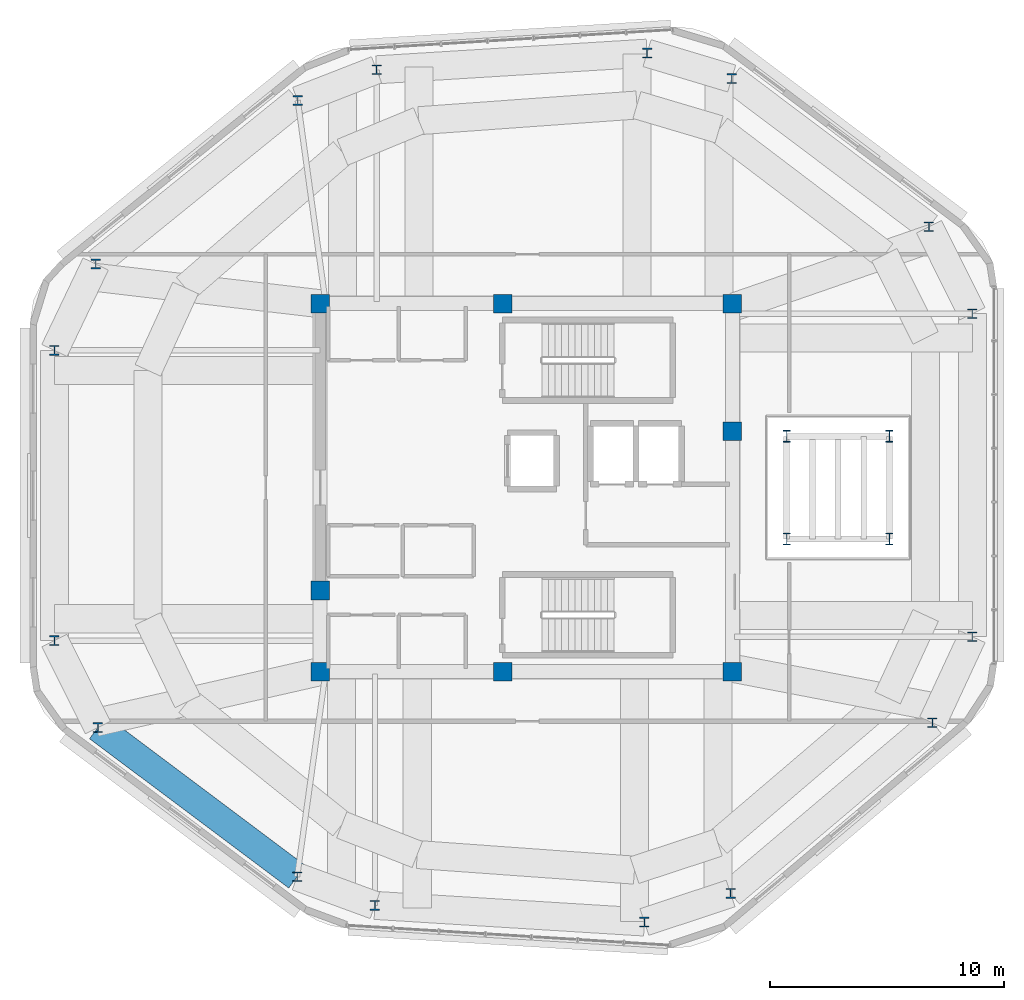
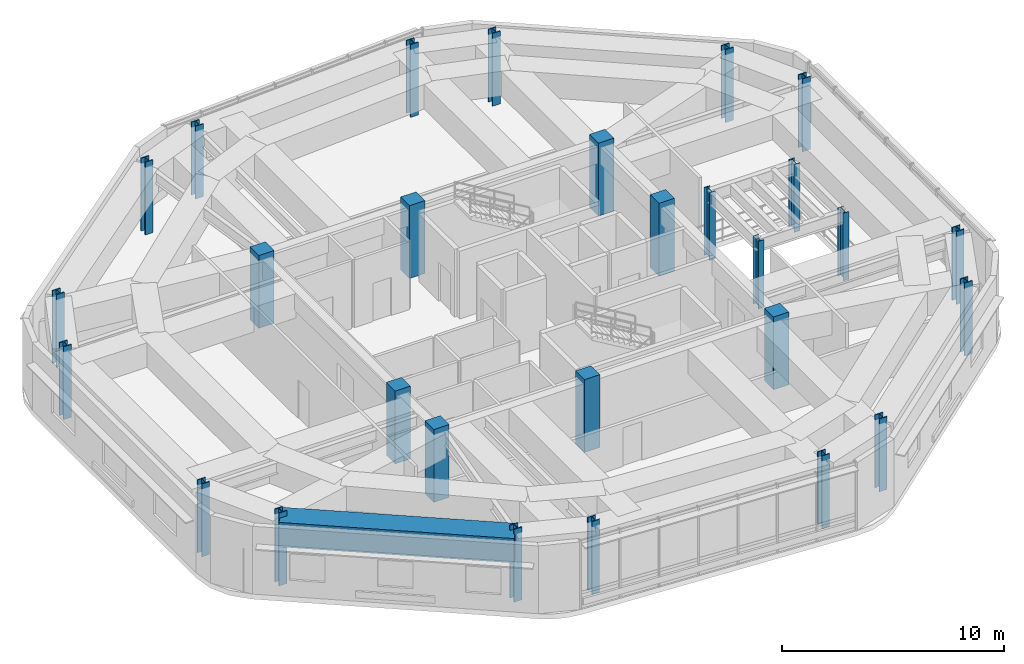
# One storey, part 1 of 17: 28 columns, 1 beam.
"""IFC4 building model written with IfcOpenShell, lengths in metres."""

from ifc_helpers import new_model, si_unit, direction, frame, origin, origin_2d, place, context, subcontext, project, spatial, rectangle, i_section, extrude, material, material_profile, profile_set, type_object, element, save


model = new_model("IFC4")

# Units and contexts
model_context = context("Model", 3, precision=1e-05, world=origin(), true_north=direction((0.0, 1.0)))
body_context = subcontext(model_context, "Body", "Model", "MODEL_VIEW")
ifc_project = project(units=[si_unit("LENGTHUNIT", "METRE"), si_unit("AREAUNIT", "SQUARE_METRE"), si_unit("VOLUMEUNIT", "CUBIC_METRE"), si_unit("PLANEANGLEUNIT", "RADIAN"), si_unit("MASSUNIT", "GRAM", prefix="KILO")], contexts=[model_context])

# Site, building, storey
site_placement = place(None, origin())
site = spatial("IfcSite", under=ifc_project, at=site_placement, CompositionType="ELEMENT")
building_placement = place(site_placement, origin())
building = spatial("IfcBuilding", under=site, at=building_placement, Name="Zulverin Broadcast Headquarters", CompositionType="ELEMENT")
storey_placement = place(building_placement, frame((0.0, 0.0, 317.39990234375)))
storey = spatial("IfcBuildingStorey", under=building, at=storey_placement, Name="C2", CompositionType="ELEMENT", Elevation=317.39990234375)

# Columns
ifc_material_1 = material(Name="Structural steel S355JR", Category="steel")
ifc_material_profile_1 = material_profile(ifc_material_1, i_section(OverallWidth=0.300048828125, OverallDepth=0.5, WebThickness=0.014404296875, FlangeThickness=0.028076171875, at=origin_2d()), Name="Structural steel S355JR", Category="steel")
ifc_profile_set_1 = profile_set([ifc_material_profile_1], Name="Structural steel S355JR")
column_type_1 = type_object("IfcColumnType", Name="COL-HEB-500", PredefinedType="COLUMN", material=ifc_profile_set_1)
for number, where, z_axis, x_axis, name in (
    (1, (50.60009765625, 23.0, 0.0), (0.0, 0.0, 1.0), (1.0, 0.0, 0.0), "C2 Tuned Mass Damper Frame Column TMD-C1"),
    (2, (55.0, 23.0, 0.0), (0.0, 0.0, 1.0), (1.0, 0.0, 0.0), "C2 Tuned Mass Damper Frame Column TMD-C2"),
    (3, (55.0, 27.39990234375, 0.0), (0.0, 0.0, 1.0), (1.0, 0.0, 0.0), "C2 Tuned Mass Damper Frame Column TMD-C3"),
    (4, (50.60009765625, 27.39990234375, 0.0), (0.0, 0.0, 1.0), (1.0, 0.0, 0.0), "C2 Tuned Mass Damper Frame Column TMD-C4"),
):
    element("IfcColumn", number, at=place(storey_placement, frame(where, z_axis=z_axis, x_axis=x_axis)), inside=storey, type_object=column_type_1, Name=name, PredefinedType="COLUMN", context=body_context, shape_type="SweptSolid", body=[
        extrude(i_section(OverallWidth=0.300048828125, OverallDepth=0.5, WebThickness=0.014404296875, FlangeThickness=0.028076171875, at=origin_2d()), origin(), (0.0, 0.0, 1.0), 3.72021484375),
    ])
ifc_material_profile_2 = material_profile(ifc_material_1, i_section(OverallWidth=0.406982421875, OverallDepth=0.4189453125, WebThickness=0.030517578125, FlangeThickness=0.04931640625, at=origin_2d()), Name="Structural steel S355JR", Category="steel")
ifc_profile_set_2 = profile_set([ifc_material_profile_2], Name="Structural steel S355JR")
column_type_2 = type_object("IfcColumnType", Name="COL-UC-393", PredefinedType="COLUMN", material=ifc_profile_set_2)
for number, where, z_axis, x_axis, name in (
    (5, (32.971923828125, 7.314697265625, 0.0), (0.0, 0.0, 1.0), (1.0, 0.0, 0.0), "C2 Perimeter Column T01"),
    (6, (44.510498046875, 6.602783203125, 0.0), (0.0, 0.0, 1.0), (1.0, 0.0, 0.0), "C2 Perimeter Column T02"),
    (7, (48.198486328125, 7.82568359375, 0.0), (0.0, 0.0, 1.0), (1.0, 0.0, 0.0), "C2 Perimeter Column T03"),
    (8, (56.83935546875, 15.132568359375, 0.0), (0.0, 0.0, 1.0), (1.0, 0.0, 0.0), "C2 Perimeter Column T04"),
    (9, (58.550048828125, 18.819580078125, 0.0), (0.0, 0.0, 1.0), (1.0, 0.0, 0.0), "C2 Perimeter Column T05"),
    (10, (58.550048828125, 32.648193359375, 0.0), (0.0, 0.0, 1.0), (1.0, 0.0, 0.0), "C2 Perimeter Column T06"),
    (11, (56.692626953125, 36.36767578125, 0.0), (0.0, 0.0, 1.0), (1.0, 0.0, 0.0), "C2 Perimeter Column T07"),
    (12, (48.24609375, 42.716796875, 0.0), (0.0, 0.0, 1.0), (1.0, 0.0, 0.0), "C2 Perimeter Column T08"),
    (13, (44.622314453125, 43.80419921875, 0.0), (0.0, 0.0, 1.0), (1.0, 0.0, 0.0), "C2 Perimeter Column T09"),
    (14, (33.041259765625, 43.089599609375, 0.0), (0.0, 0.0, 1.0), (1.0, 0.0, 0.0), "C2 Perimeter Column T10"),
    (15, (29.665771484375, 41.776611328125, 0.0), (0.0, 0.0, 1.0), (1.0, 0.0, 0.0), "C2 Perimeter Column T11"),
    (16, (21.015625, 34.77587890625, 0.0), (0.0, 0.0, 1.0), (1.0, 0.0, 0.0), "C2 Perimeter Column T12"),
    (17, (19.25, 31.07568359375, 0.0), (0.0, 0.0, 1.0), (1.0, 0.0, 0.0), "C2 Perimeter Column T13"),
    (18, (19.25, 18.65087890625, 0.0), (0.0, 0.0, 1.0), (1.0, 0.0, 0.0), "C2 Perimeter Column T14"),
    (19, (21.111083984375, 14.9306640625, 0.0), (0.0, 0.0, 1.0), (1.0, 0.0, 0.0), "C2 Perimeter Column T15"),
    (20, (29.639404296875, 8.5400390625, 0.0), (0.0, 0.0, 1.0), (1.0, 0.0, 0.0), "C2 Perimeter Column T16"),
):
    element("IfcColumn", number, at=place(storey_placement, frame(where, z_axis=z_axis, x_axis=x_axis)), inside=storey, type_object=column_type_2, Name=name, PredefinedType="COLUMN", context=body_context, shape_type="SweptSolid", body=[
        extrude(i_section(OverallWidth=0.406982421875, OverallDepth=0.4189453125, WebThickness=0.030517578125, FlangeThickness=0.04931640625, at=origin_2d()), origin(), (0.0, 0.0, 1.0), 4.0),
    ])
ifc_material_2 = material(Name="Concrete C50/60", Category="concrete")
ifc_material_profile_3 = material_profile(ifc_material_2, rectangle(XDim=0.800048828125, YDim=0.800048828125, at=origin_2d()), Name="Concrete C50/60", Category="concrete")
ifc_profile_set_3 = profile_set([ifc_material_profile_3], Name="Concrete C50/60")
column_type_3 = type_object("IfcColumnType", Name="PIL-RC-800", PredefinedType="PILASTER", material=ifc_profile_set_3)
for number, where, z_axis, x_axis, name in (
    (21, (30.625, 17.324951171875, 0.0), (0.0, 0.0, 1.0), (1.0, 0.0, 0.0), "C2 Core Pilaster K01"),
    (22, (38.449951171875, 17.324951171875, 0.0), (0.0, 0.0, 1.0), (1.0, 0.0, 0.0), "C2 Core Pilaster K02"),
    (23, (48.27490234375, 17.324951171875, 0.0), (0.0, 0.0, 1.0), (1.0, 0.0, 0.0), "C2 Core Pilaster K03"),
    (24, (48.27490234375, 27.6201171875, 0.0), (0.0, 0.0, 1.0), (1.0, 0.0, 0.0), "C2 Core Pilaster K04"),
    (25, (48.27490234375, 33.074951171875, 0.0), (0.0, 0.0, 1.0), (1.0, 0.0, 0.0), "C2 Core Pilaster K05"),
    (26, (38.449951171875, 33.074951171875, 0.0), (0.0, 0.0, 1.0), (1.0, 0.0, 0.0), "C2 Core Pilaster K06"),
    (27, (30.625, 33.074951171875, 0.0), (0.0, 0.0, 1.0), (1.0, 0.0, 0.0), "C2 Core Pilaster K07"),
    (28, (30.625, 20.800048828125, 0.0), (0.0, 0.0, 1.0), (1.0, 0.0, 0.0), "C2 Core Pilaster K08"),
):
    element("IfcColumn", number, at=place(storey_placement, frame(where, z_axis=z_axis, x_axis=x_axis)), inside=storey, type_object=column_type_3, Name=name, PredefinedType="PILASTER", context=body_context, shape_type="SweptSolid", body=[
        extrude(rectangle(XDim=0.800048828125, YDim=0.800048828125, at=origin_2d()), origin(), (0.0, 0.0, 1.0), 4.0),
    ])

# Beam
ifc_material_profile_4 = material_profile(ifc_material_2, rectangle(XDim=1.199951171875, YDim=1.35009765625, at=origin_2d()), Name="Concrete C50/60", Category="concrete")
ifc_profile_set_4 = profile_set([ifc_material_profile_4], Name="Concrete C50/60")
beam_type = type_object("IfcBeamType", Name="BM-TG-CRN-1350", PredefinedType="USERDEFINED", material=ifc_profile_set_4)
beam_placement = place(storey_placement, frame((21.111083984375, 14.9306640625, 3.045166015625), z_axis=(0.800252842914, -0.599662728046, 0.0), x_axis=(0.599662728046, 0.800252842914, 0.0)))
element("IfcBeam", 29, at=beam_placement, inside=storey, type_object=beam_type, Name="C2 Perimeter Transfer Ring Girder SP-15", ObjectType="TRANSFER GIRDER", PredefinedType="USERDEFINED", context=body_context, shape_type="SweptSolid", body=[
    extrude(rectangle(XDim=1.199951171875, YDim=1.35009765625, at=origin_2d()), origin(), (0.0, 0.0, 1.0), 10.656982421875),
])

save(model, "model.ifc")
